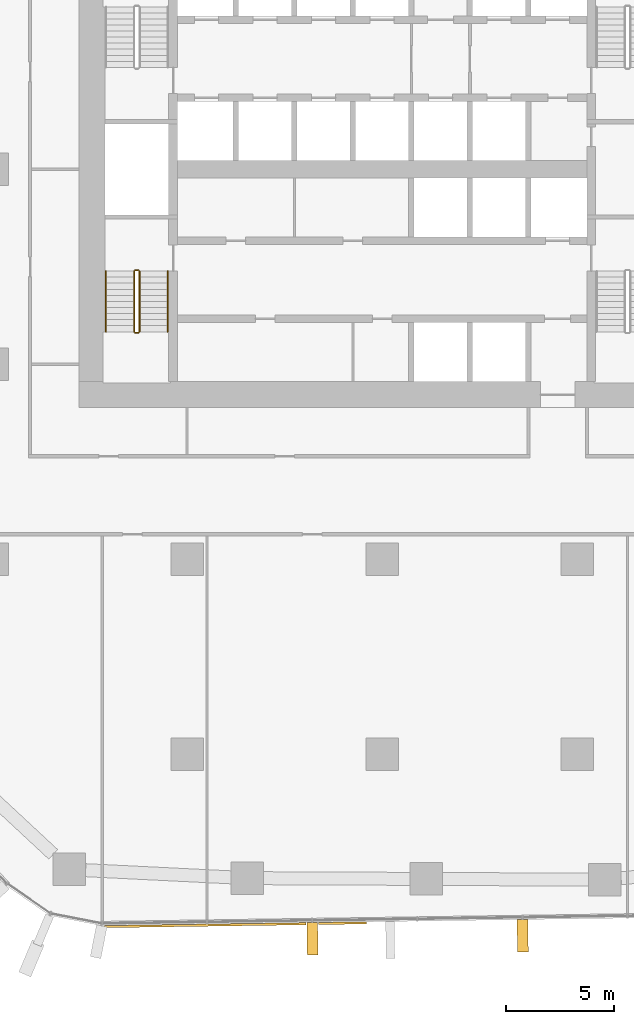
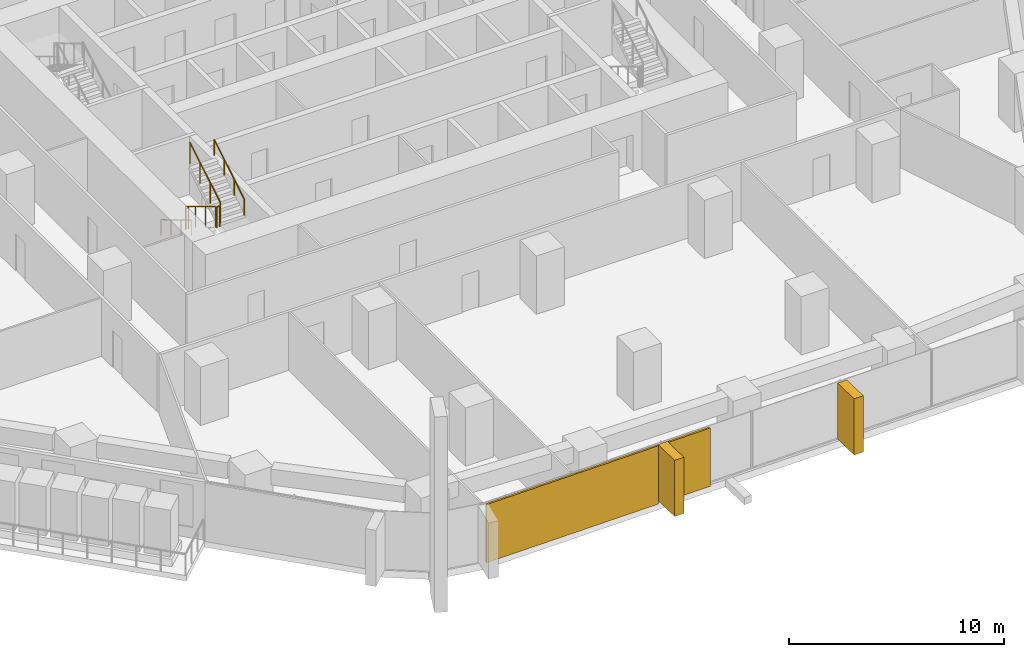
# One storey, part 19 of 24: 6 railings, 4 coverings, 1 element without a shape of its own.
"""IFC4 building model written with IfcOpenShell, lengths in metres."""

from ifc_helpers import new_model, si_unit, direction, frame, origin, origin_2d, place, context, subcontext, project, spatial, rectangle, circle, extrude, material, layer, layer_set, material_profile, profile_set, type_object, element, aggregate, save


model = new_model("IFC4")

# Units and contexts
model_context = context("Model", 3, precision=1e-05, world=origin(), true_north=direction((0.0, 1.0)))
body_context = subcontext(model_context, "Body", "Model", "MODEL_VIEW")
ifc_project = project(units=[si_unit("LENGTHUNIT", "METRE"), si_unit("AREAUNIT", "SQUARE_METRE"), si_unit("VOLUMEUNIT", "CUBIC_METRE"), si_unit("PLANEANGLEUNIT", "RADIAN"), si_unit("MASSUNIT", "GRAM", prefix="KILO")], contexts=[model_context])

# Site, building, storey
site_placement = place(None, origin())
site = spatial("IfcSite", under=ifc_project, at=site_placement, CompositionType="ELEMENT")
building_placement = place(site_placement, origin())
building = spatial("IfcBuilding", under=site, at=building_placement, Name="Dongbaek Canopy Tower", CompositionType="ELEMENT")
storey_placement = place(building_placement, frame((0.0, 0.0, 44.0)))
storey = spatial("IfcBuildingStorey", under=building, at=storey_placement, Name="L06", CompositionType="ELEMENT", Elevation=44.0)

# Curtain wall, coverings
ifc_material_1 = material(Name="Aluminium 6063-T6 pale anodised", Category="aluminium")
ifc_layer_1 = layer(ifc_material_1, 0.199951171875)
ifc_layer_set_1 = layer_set([ifc_layer_1], Name="CW-1 unitised tower curtain wall")
curtain_wall_type = type_object("IfcCurtainWallType", Name="CW-1 unitised tower curtain wall", PredefinedType="NOTDEFINED", material=ifc_layer_set_1)
curtain_wall_placement = place(storey_placement, origin())
curtain_wall = element("IfcCurtainWall", 1, at=curtain_wall_placement, inside=storey, type_object=curtain_wall_type, Name="CW-1 curtain wall F4.1", PredefinedType="NOTDEFINED")
ifc_material_2 = material(Name="Perforated aluminium 6063-T6 pale metal screen", Category="aluminium")
ifc_layer_2 = layer(ifc_material_2, 0.10009765625)
ifc_layer_set_2 = layer_set([ifc_layer_2], Name="Facet screen FS1 100 pale metal")
covering_type_1 = type_object("IfcCoveringType", Name="Facet screen FS1 100 pale metal", PredefinedType="CLADDING", material=ifc_layer_set_2)
covering_1_placement = place(storey_placement, frame((-8.160400390625, -34.88916015625, 0.0), z_axis=(0.0, 0.0, 1.0), x_axis=(0.999893146109, 0.014618357116, 0.0)))
covering_1 = element("IfcCovering", 2, at=covering_1_placement, type_object=covering_type_1, Name="Facet screen L06 F4", PredefinedType="CLADDING", context=body_context, shape_type="SweptSolid", body=[
    extrude(rectangle(XDim=9.28759765625, YDim=0.10009765625, at=origin_2d()), origin(), (0.0, 0.0, 1.0), 3.300048828125),
])
covering_2_placement = place(storey_placement, frame((-1.82470703125, -34.79638671875, 0.0), z_axis=(0.0, 0.0, 1.0), x_axis=(0.999893146109, 0.014618357116, 0.0)))
covering_2 = element("IfcCovering", 3, at=covering_2_placement, type_object=covering_type_1, Name="Facet screen L06 F4", PredefinedType="CLADDING", context=body_context, shape_type="SweptSolid", body=[
    extrude(rectangle(XDim=2.22509765625, YDim=0.10009765625, at=origin_2d()), origin(), (0.0, 0.0, 1.0), 3.300048828125),
])
ifc_material_3 = material(Name="Aluminium 6063-T6 pale metal fin", Category="aluminium")
ifc_material_profile = material_profile(ifc_material_3, rectangle(XDim=1.5, YDim=0.5, at=origin_2d()), Name="Fin FN1 500 x 1500 pale metal")
ifc_profile_set = profile_set([ifc_material_profile], Name="Aluminium 6063-T6 pale metal fin")
covering_type_2 = type_object("IfcCoveringType", Name="Fin FN1 500 x 1500 pale metal", PredefinedType="CLADDING", material=ifc_profile_set)
covering_3_placement = place(storey_placement, frame((-3.216796875, -35.52099609375, 0.1201171875), z_axis=(0.0, 0.0, 1.0), x_axis=(0.014618811778, -0.999893139462, 0.0)))
covering_3 = element("IfcCovering", 4, at=covering_3_placement, type_object=covering_type_2, Name="Fin F4.1.3", PredefinedType="CLADDING", context=body_context, shape_type="SweptSolid", body=[
    extrude(rectangle(XDim=1.5, YDim=0.5, at=origin_2d()), origin(), (0.0, 0.0, 1.0), 3.179931640625),
])
covering_4_placement = place(storey_placement, frame((6.48583984375, -35.379150390625, 0.1201171875), z_axis=(0.0, 0.0, 1.0), x_axis=(0.014618811778, -0.999893139462, 0.0)))
covering_4 = element("IfcCovering", 5, at=covering_4_placement, type_object=covering_type_2, Name="Fin F4.1.5", PredefinedType="CLADDING", context=body_context, shape_type="SweptSolid", body=[
    extrude(rectangle(XDim=1.5, YDim=0.5, at=origin_2d()), origin(), (0.0, 0.0, 1.0), 3.179931640625),
])
aggregate(curtain_wall, [covering_3, covering_4, covering_1, covering_2])

# Railings
ifc_material_4 = material(Name="Stainless steel tube and balusters", Category="steel")
railing_type_1 = type_object("IfcRailingType", Name="Stair guard 1200", PredefinedType="GUARDRAIL", material=ifc_material_4)
railing_1_placement = place(storey_placement, frame((-11.449951171875, -4.699951171875, 0.168212890625)))
element("IfcRailing", 6, at=railing_1_placement, inside=storey, type_object=railing_type_1, Name="L06 ST-D stair guard 1", PredefinedType="GUARDRAIL", context=body_context, shape_type="SweptSolid", body=[
    extrude(circle(Radius=0.02392578125, at=origin_2d()), frame((0.0, 0.0, 1.17578125), z_axis=(0.0, -0.857242210791, 0.514913383045), x_axis=(1.0, 0.0, 0.0)), (0.0, 0.0, 1.0), 3.266357421875),
    extrude(circle(Radius=0.02099609375, at=origin_2d()), origin(), (0.0, 0.0, 1.0), 1.15185546875),
    extrude(circle(Radius=0.02099609375, at=origin_2d()), frame((0.0, -0.933349609375, 0.560546875)), (0.0, 0.0, 1.0), 1.15185546875),
    extrude(circle(Radius=0.02099609375, at=origin_2d()), frame((0.0, -1.86669921875, 1.121337890625)), (0.0, 0.0, 1.0), 1.15185546875),
    extrude(circle(Radius=0.02099609375, at=origin_2d()), frame((0.0, -2.800048828125, 1.681884765625)), (0.0, 0.0, 1.0), 1.15185546875),
])
railing_2_placement = place(storey_placement, frame((-11.39990234375, -7.550048828125, 1.85009765625)))
element("IfcRailing", 7, at=railing_2_placement, inside=storey, type_object=railing_type_1, Name="L06 ST-D stair guard 2", PredefinedType="GUARDRAIL", context=body_context, shape_type="SweptSolid", body=[
    extrude(circle(Radius=0.02392578125, at=origin_2d()), frame((0.0, 0.0, 1.17578125), z_axis=(1.0, 0.0, 0.0), x_axis=(0.0, 1.0, 0.0)), (0.0, 0.0, 1.0), 0.14990234375),
    extrude(circle(Radius=0.02099609375, at=origin_2d()), origin(), (0.0, 0.0, 1.0), 1.15185546875),
    extrude(circle(Radius=0.02099609375, at=origin_2d()), frame((0.14990234375, 0.0, 0.0)), (0.0, 0.0, 1.0), 1.15185546875),
])
railing_3_placement = place(storey_placement, frame((-11.199951171875, -7.5, 2.01806640625)))
element("IfcRailing", 8, at=railing_3_placement, inside=storey, type_object=railing_type_1, Name="L06 ST-D stair guard 3", PredefinedType="GUARDRAIL", context=body_context, shape_type="SweptSolid", body=[
    extrude(circle(Radius=0.02392578125, at=origin_2d()), frame((0.0, 0.0, 1.17578125), z_axis=(0.0, 0.857242210791, 0.514913383045), x_axis=(-1.0, 0.0, 0.0)), (0.0, 0.0, 1.0), 3.266357421875),
    extrude(circle(Radius=0.02099609375, at=origin_2d()), origin(), (0.0, 0.0, 1.0), 1.15185546875),
    extrude(circle(Radius=0.02099609375, at=origin_2d()), frame((0.0, 0.933349609375, 0.560546875)), (0.0, 0.0, 1.0), 1.15185546875),
    extrude(circle(Radius=0.02099609375, at=origin_2d()), frame((0.0, 1.86669921875, 1.121337890625)), (0.0, 0.0, 1.0), 1.15185546875),
    extrude(circle(Radius=0.02099609375, at=origin_2d()), frame((0.0, 2.800048828125, 1.681884765625)), (0.0, 0.0, 1.0), 1.15185546875),
])
railing_4_placement = place(storey_placement, frame((-11.39990234375, -4.64990234375, 0.0)))
element("IfcRailing", 9, at=railing_4_placement, inside=storey, type_object=railing_type_1, Name="L06 ST-D stair guard 4", PredefinedType="GUARDRAIL", context=body_context, shape_type="SweptSolid", body=[
    extrude(circle(Radius=0.02392578125, at=origin_2d()), frame((0.0, 0.0, 1.17578125), z_axis=(1.0, 0.0, 0.0), x_axis=(0.0, 1.0, 0.0)), (0.0, 0.0, 1.0), 0.14990234375),
    extrude(circle(Radius=0.02099609375, at=origin_2d()), origin(), (0.0, 0.0, 1.0), 1.15185546875),
    extrude(circle(Radius=0.02099609375, at=origin_2d()), frame((0.14990234375, 0.0, 0.0)), (0.0, 0.0, 1.0), 1.15185546875),
])
ifc_material_5 = material(Name="Stainless steel tube", Category="steel")
railing_type_2 = type_object("IfcRailingType", Name="Stair handrail 900", PredefinedType="HANDRAIL", material=ifc_material_5)
railing_5_placement = place(storey_placement, frame((-12.75, -4.699951171875, 0.168212890625)))
element("IfcRailing", 10, at=railing_5_placement, inside=storey, type_object=railing_type_2, Name="L06 ST-D stair handrail 1", PredefinedType="HANDRAIL", context=body_context, shape_type="SweptSolid", body=[
    extrude(circle(Radius=0.02392578125, at=origin_2d()), frame((0.0, 0.0, 0.8759765625), z_axis=(0.0, -0.857242210791, 0.514913383045), x_axis=(1.0, 0.0, 0.0)), (0.0, 0.0, 1.0), 3.266357421875),
    extrude(circle(Radius=0.02099609375, at=origin_2d()), origin(), (0.0, 0.0, 1.0), 0.851806640625),
    extrude(circle(Radius=0.02099609375, at=origin_2d()), frame((0.0, -0.933349609375, 0.560546875)), (0.0, 0.0, 1.0), 0.851806640625),
    extrude(circle(Radius=0.02099609375, at=origin_2d()), frame((0.0, -1.86669921875, 1.121337890625)), (0.0, 0.0, 1.0), 0.851806640625),
    extrude(circle(Radius=0.02099609375, at=origin_2d()), frame((0.0, -2.800048828125, 1.681884765625)), (0.0, 0.0, 1.0), 0.851806640625),
])
railing_6_placement = place(storey_placement, frame((-9.89990234375, -7.5, 2.01806640625)))
element("IfcRailing", 11, at=railing_6_placement, inside=storey, type_object=railing_type_2, Name="L06 ST-D stair handrail 2", PredefinedType="HANDRAIL", context=body_context, shape_type="SweptSolid", body=[
    extrude(circle(Radius=0.02392578125, at=origin_2d()), frame((0.0, 0.0, 0.8759765625), z_axis=(0.0, 0.857242210791, 0.514913383045), x_axis=(-1.0, 0.0, 0.0)), (0.0, 0.0, 1.0), 3.266357421875),
    extrude(circle(Radius=0.02099609375, at=origin_2d()), origin(), (0.0, 0.0, 1.0), 0.851806640625),
    extrude(circle(Radius=0.02099609375, at=origin_2d()), frame((0.0, 0.933349609375, 0.560546875)), (0.0, 0.0, 1.0), 0.851806640625),
    extrude(circle(Radius=0.02099609375, at=origin_2d()), frame((0.0, 1.86669921875, 1.121337890625)), (0.0, 0.0, 1.0), 0.851806640625),
    extrude(circle(Radius=0.02099609375, at=origin_2d()), frame((0.0, 2.800048828125, 1.681884765625)), (0.0, 0.0, 1.0), 0.851806640625),
])

save(model, "model.ifc")
